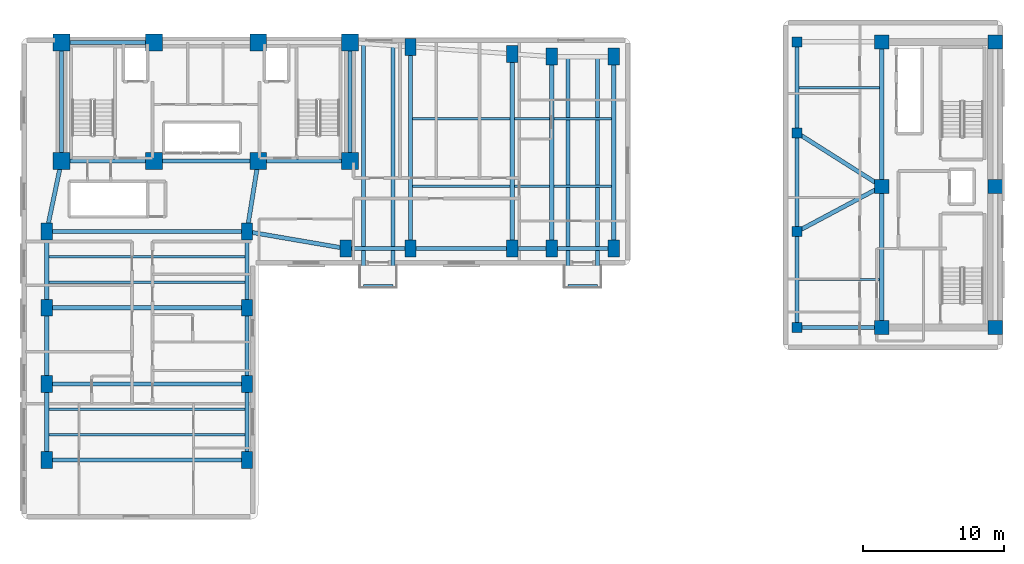
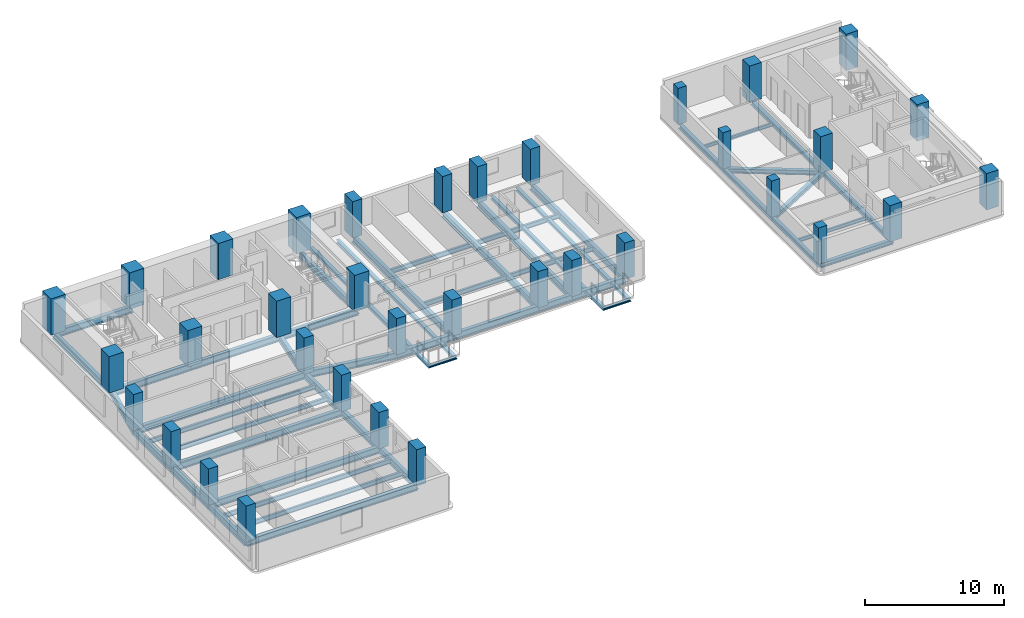
# One storey, part 1 of 10: 53 beams, 35 columns.
"""IFC4 building model written with IfcOpenShell, lengths in metres."""

from ifc_helpers import new_model, si_unit, direction, frame, origin, origin_2d, place, context, subcontext, project, spatial, rectangle, i_section, extrude, material, material_profile, profile_set, type_object, element, save


model = new_model("IFC4")

# Units and contexts
model_context = context("Model", 3, precision=1e-05, world=origin(), true_north=direction((0.0, 1.0)))
body_context = subcontext(model_context, "Body", "Model", "MODEL_VIEW")
ifc_project = project(units=[si_unit("LENGTHUNIT", "METRE"), si_unit("AREAUNIT", "SQUARE_METRE"), si_unit("VOLUMEUNIT", "CUBIC_METRE"), si_unit("PLANEANGLEUNIT", "RADIAN"), si_unit("MASSUNIT", "GRAM", prefix="KILO")], contexts=[model_context])

# Site, building, storey
site_placement = place(None, origin())
site = spatial("IfcSite", under=ifc_project, at=site_placement, CompositionType="ELEMENT")
building_placement = place(site_placement, origin())
building = spatial("IfcBuilding", under=site, at=building_placement, Name="Kuzgunbayir Cultural Tower", CompositionType="ELEMENT")
storey_placement = place(building_placement, frame((0.0, 0.0, 93.0)))
storey = spatial("IfcBuildingStorey", under=building, at=storey_placement, Name="L26", CompositionType="ELEMENT", Elevation=93.0)

# Columns
ifc_material_1 = material(Name="Concrete C60/75", Category="concrete")
ifc_material_profile_1 = material_profile(ifc_material_1, rectangle(XDim=1.199951171875, YDim=1.199951171875, at=origin_2d()), Name="RC 1200x1200")
ifc_profile_set_1 = profile_set([ifc_material_profile_1], Name="Concrete C60/75")
column_type_1 = type_object("IfcColumnType", Name="COL-CORE-1200", PredefinedType="COLUMN", material=ifc_profile_set_1)
for number, where, z_axis, x_axis, name in (
    (1, (6.449951171875, 33.800048828125, 0.0), (0.0, 0.0, 1.0), (1.0, 0.0, 0.0), "L26 T1 Core Boundary Column CC1-1"),
    (2, (13.0, 33.800048828125, 0.0), (0.0, 0.0, 1.0), (1.0, 0.0, 0.0), "L26 T1 Core Boundary Column CC1-2"),
    (3, (20.39990234375, 33.800048828125, 0.0), (0.0, 0.0, 1.0), (1.0, 0.0, 0.0), "L26 T1 Core Boundary Column CC1-3"),
    (4, (26.89990234375, 33.800048828125, 0.0), (0.0, 0.0, 1.0), (1.0, 0.0, 0.0), "L26 T1 Core Boundary Column CC1-4"),
    (5, (6.449951171875, 42.199951171875, 0.0), (0.0, 0.0, 1.0), (1.0, 0.0, 0.0), "L26 T1 Core Boundary Column CC1-5"),
    (6, (13.0, 42.199951171875, 0.0), (0.0, 0.0, 1.0), (1.0, 0.0, 0.0), "L26 T1 Core Boundary Column CC1-6"),
    (7, (20.39990234375, 42.199951171875, 0.0), (0.0, 0.0, 1.0), (1.0, 0.0, 0.0), "L26 T1 Core Boundary Column CC1-7"),
    (8, (26.89990234375, 42.199951171875, 0.0), (0.0, 0.0, 1.0), (1.0, 0.0, 0.0), "L26 T1 Core Boundary Column CC1-8"),
):
    element("IfcColumn", number, at=place(storey_placement, frame(where, z_axis=z_axis, x_axis=x_axis)), inside=storey, type_object=column_type_1, Name=name, PredefinedType="COLUMN", context=body_context, shape_type="SweptSolid", body=[
        extrude(rectangle(XDim=1.199951171875, YDim=1.199951171875, at=origin_2d()), origin(), (0.0, 0.0, 1.0), 3.199951171875),
    ])
ifc_material_profile_2 = material_profile(ifc_material_1, rectangle(XDim=0.800048828125, YDim=1.199951171875, at=origin_2d()), Name="RC 1200x800")
ifc_profile_set_2 = profile_set([ifc_material_profile_2], Name="Concrete C60/75")
column_type_2 = type_object("IfcColumnType", Name="COL-T1-1200x800", PredefinedType="COLUMN", material=ifc_profile_set_2)
for number, where, z_axis, x_axis, name in (
    (9, (5.39990234375, 12.60009765625, 0.0), (0.0, 0.0, 1.0), (1.0, 0.0, 0.0), "L26 Tower 1 Wing A Column T1A-W-1"),
    (10, (19.60009765625, 12.60009765625, 0.0), (0.0, 0.0, 1.0), (1.0, 0.0, 0.0), "L26 Tower 1 Wing A Column T1A-E-1"),
    (11, (5.39990234375, 18.0, 0.0), (0.0, 0.0, 1.0), (1.0, 0.0, 0.0), "L26 Tower 1 Wing A Column T1A-W-2"),
    (12, (19.60009765625, 18.0, 0.0), (0.0, 0.0, 1.0), (1.0, 0.0, 0.0), "L26 Tower 1 Wing A Column T1A-E-2"),
    (13, (5.39990234375, 23.39990234375, 0.0), (0.0, 0.0, 1.0), (1.0, 0.0, 0.0), "L26 Tower 1 Wing A Column T1A-W-3"),
    (14, (19.60009765625, 23.39990234375, 0.0), (0.0, 0.0, 1.0), (1.0, 0.0, 0.0), "L26 Tower 1 Wing A Column T1A-E-3"),
    (15, (5.39990234375, 28.800048828125, 0.0), (0.0, 0.0, 1.0), (1.0, 0.0, 0.0), "L26 Tower 1 Wing A Column T1A-W-4"),
    (16, (19.60009765625, 28.800048828125, 0.0), (0.0, 0.0, 1.0), (1.0, 0.0, 0.0), "L26 Tower 1 Wing A Column T1A-E-4"),
    (17, (26.60009765625, 27.60009765625, 0.0), (0.0, 0.0, 1.0), (1.0, 0.0, 0.0), "L26 Tower 1 Wing B Column T1B-1-1"),
    (18, (31.199951171875, 27.60009765625, 0.0), (0.0, 0.0, 1.0), (1.0, 0.0, 0.0), "L26 Tower 1 Wing B Column T1B-2-1"),
    (19, (31.199951171875, 41.89990234375, 0.0), (0.0, 0.0, 1.0), (1.0, 0.0, 0.0), "L26 Tower 1 Wing B Column T1B-2-2"),
    (20, (38.39990234375, 27.60009765625, 0.0), (0.0, 0.0, 1.0), (1.0, 0.0, 0.0), "L26 Tower 1 Wing B Column T1B-3-1"),
    (21, (38.39990234375, 41.39990234375, 0.0), (0.0, 0.0, 1.0), (1.0, 0.0, 0.0), "L26 Tower 1 Wing B Column T1B-3-2"),
    (22, (41.199951171875, 27.60009765625, 0.0), (0.0, 0.0, 1.0), (1.0, 0.0, 0.0), "L26 Tower 1 Wing B Column T1B-4-1"),
    (23, (41.199951171875, 41.199951171875, 0.0), (0.0, 0.0, 1.0), (1.0, 0.0, 0.0), "L26 Tower 1 Wing B Column T1B-4-2"),
    (24, (45.60009765625, 27.60009765625, 0.0), (0.0, 0.0, 1.0), (1.0, 0.0, 0.0), "L26 Tower 1 Wing B Column T1B-5-1"),
    (25, (45.60009765625, 41.199951171875, 0.0), (0.0, 0.0, 1.0), (1.0, 0.0, 0.0), "L26 Tower 1 Wing B Column T1B-5-2"),
):
    element("IfcColumn", number, at=place(storey_placement, frame(where, z_axis=z_axis, x_axis=x_axis)), inside=storey, type_object=column_type_2, Name=name, PredefinedType="COLUMN", context=body_context, shape_type="SweptSolid", body=[
        extrude(rectangle(XDim=0.800048828125, YDim=1.199951171875, at=origin_2d()), origin(), (0.0, 0.0, 1.0), 3.199951171875),
    ])
ifc_material_profile_3 = material_profile(ifc_material_1, rectangle(XDim=1.0, YDim=1.0, at=origin_2d()), Name="RC 1000x1000")
ifc_profile_set_3 = profile_set([ifc_material_profile_3], Name="Concrete C60/75")
column_type_3 = type_object("IfcColumnType", Name="COL-T2-1000", PredefinedType="COLUMN", material=ifc_profile_set_3)
for number, where, z_axis, x_axis, name in (
    (26, (64.60009765625, 22.0, 0.0), (0.0, 0.0, 1.0), (1.0, 0.0, 0.0), "L26 T2 Core Boundary Column CC2-1"),
    (27, (72.64990234375, 22.0, 0.0), (0.0, 0.0, 1.0), (1.0, 0.0, 0.0), "L26 T2 Core Boundary Column CC2-2"),
    (28, (64.60009765625, 32.0, 0.0), (0.0, 0.0, 1.0), (1.0, 0.0, 0.0), "L26 T2 Core Boundary Column CC2-3"),
    (29, (72.64990234375, 32.0, 0.0), (0.0, 0.0, 1.0), (1.0, 0.0, 0.0), "L26 T2 Core Boundary Column CC2-4"),
    (30, (64.60009765625, 42.25, 0.0), (0.0, 0.0, 1.0), (1.0, 0.0, 0.0), "L26 T2 Core Boundary Column CC2-5"),
    (31, (72.64990234375, 42.25, 0.0), (0.0, 0.0, 1.0), (1.0, 0.0, 0.0), "L26 T2 Core Boundary Column CC2-6"),
):
    element("IfcColumn", number, at=place(storey_placement, frame(where, z_axis=z_axis, x_axis=x_axis)), inside=storey, type_object=column_type_3, Name=name, PredefinedType="COLUMN", context=body_context, shape_type="SweptSolid", body=[
        extrude(rectangle(XDim=1.0, YDim=1.0, at=origin_2d()), origin(), (0.0, 0.0, 1.0), 3.199951171875),
    ])
ifc_material_profile_4 = material_profile(ifc_material_1, rectangle(XDim=0.699951171875, YDim=0.699951171875, at=origin_2d()), Name="RC 700x700")
ifc_profile_set_4 = profile_set([ifc_material_profile_4], Name="Concrete C60/75")
column_type_4 = type_object("IfcColumnType", Name="COL-T2-700", PredefinedType="COLUMN", material=ifc_profile_set_4)
for number, where, z_axis, x_axis, name in (
    (32, (58.60009765625, 22.0, 0.0), (0.0, 0.0, 1.0), (1.0, 0.0, 0.0), "L26 Companion Wing A Column T2A-W-1"),
    (33, (58.60009765625, 28.800048828125, 0.0), (0.0, 0.0, 1.0), (1.0, 0.0, 0.0), "L26 Companion Wing A Column T2A-W-2"),
    (34, (58.60009765625, 35.800048828125, 0.0), (0.0, 0.0, 1.0), (1.0, 0.0, 0.0), "L26 Companion Wing A Column T2A-W-3"),
    (35, (58.60009765625, 42.25, 0.0), (0.0, 0.0, 1.0), (1.0, 0.0, 0.0), "L26 Companion Wing A Column T2A-W-4"),
):
    element("IfcColumn", number, at=place(storey_placement, frame(where, z_axis=z_axis, x_axis=x_axis)), inside=storey, type_object=column_type_4, Name=name, PredefinedType="COLUMN", context=body_context, shape_type="SweptSolid", body=[
        extrude(rectangle(XDim=0.699951171875, YDim=0.699951171875, at=origin_2d()), origin(), (0.0, 0.0, 1.0), 3.199951171875),
    ])

# Beams
ifc_material_2 = material(Name="Steel S355J2", Category="steel")
ifc_material_profile_5 = material_profile(ifc_material_2, i_section(OverallWidth=0.280029296875, OverallDepth=0.280029296875, WebThickness=0.010498046875, FlangeThickness=0.01806640625, FilletRadius=0.02392578125, at=origin_2d()), Name="HEB 280")
ifc_profile_set_5 = profile_set([ifc_material_profile_5], Name="Steel S355J2")
beam_type_1 = type_object("IfcBeamType", Name="BM-BAL-HEB280", PredefinedType="BEAM", material=ifc_profile_set_5)
beam_1_placement = place(storey_placement, frame((27.85009765625, 24.9599609375, -0.340087890625), z_axis=(0.0, 1.0, 0.0), x_axis=(-1.0, 0.0, 0.0)))
element("IfcBeam", 36, at=beam_1_placement, inside=storey, type_object=beam_type_1, Name="L26 Balcony Outrigger Beam BAL-L26-WB1.1", PredefinedType="BEAM", context=body_context, shape_type="SweptSolid", body=[
    extrude(i_section(OverallWidth=0.280029296875, OverallDepth=0.280029296875, WebThickness=0.010498046875, FlangeThickness=0.01806640625, FilletRadius=0.02392578125, at=origin_2d()), origin(), (0.0, 0.0, 1.0), 17.169921875),
])
beam_2_placement = place(storey_placement, frame((29.949951171875, 24.9599609375, -0.340087890625), z_axis=(0.0, 1.0, 0.0), x_axis=(-1.0, 0.0, 0.0)))
element("IfcBeam", 37, at=beam_2_placement, inside=storey, type_object=beam_type_1, Name="L26 Balcony Outrigger Beam BAL-L26-WB1.2", PredefinedType="BEAM", context=body_context, shape_type="SweptSolid", body=[
    extrude(i_section(OverallWidth=0.280029296875, OverallDepth=0.280029296875, WebThickness=0.010498046875, FlangeThickness=0.01806640625, FilletRadius=0.02392578125, at=origin_2d()), origin(), (0.0, 0.0, 1.0), 17.030029296875),
])
for number, where, z_axis, x_axis, name in (
    (38, (42.35009765625, 24.9599609375, -0.340087890625), (0.0, 1.0, 0.0), (-1.0, 0.0, 0.0), "L26 Balcony Outrigger Beam BAL-L26-WB3.1"),
    (39, (44.449951171875, 24.9599609375, -0.340087890625), (0.0, 1.0, 0.0), (-1.0, 0.0, 0.0), "L26 Balcony Outrigger Beam BAL-L26-WB3.2"),
):
    element("IfcBeam", number, at=place(storey_placement, frame(where, z_axis=z_axis, x_axis=x_axis)), inside=storey, type_object=beam_type_1, Name=name, PredefinedType="BEAM", context=body_context, shape_type="SweptSolid", body=[
        extrude(i_section(OverallWidth=0.280029296875, OverallDepth=0.280029296875, WebThickness=0.010498046875, FlangeThickness=0.01806640625, FilletRadius=0.02392578125, at=origin_2d()), origin(), (0.0, 0.0, 1.0), 16.239990234375),
    ])
ifc_material_profile_6 = material_profile(ifc_material_2, i_section(OverallWidth=0.199951171875, OverallDepth=0.199951171875, WebThickness=0.009033203125, FlangeThickness=0.014892578125, FilletRadius=0.01806640625, at=origin_2d()), Name="HEB 200")
ifc_profile_set_6 = profile_set([ifc_material_profile_6], Name="Steel S355J2")
beam_type_2 = type_object("IfcBeamType", Name="BM-CAN-HEB200", PredefinedType="BEAM", material=ifc_profile_set_6)
for number, where, z_axis, x_axis, name in (
    (40, (27.85009765625, 24.9599609375, -0.300048828125), (1.0, 0.0, 0.0), (0.0, 1.0, 0.0), "L26 Balcony Edge Header BAL-L26-WB1"),
    (41, (42.35009765625, 24.9599609375, -0.300048828125), (1.0, 0.0, 0.0), (0.0, 1.0, 0.0), "L26 Balcony Edge Header BAL-L26-WB3"),
):
    element("IfcBeam", number, at=place(storey_placement, frame(where, z_axis=z_axis, x_axis=x_axis)), inside=storey, type_object=beam_type_2, Name=name, PredefinedType="BEAM", context=body_context, shape_type="SweptSolid", body=[
        extrude(i_section(OverallWidth=0.199951171875, OverallDepth=0.199951171875, WebThickness=0.009033203125, FlangeThickness=0.014892578125, FilletRadius=0.01806640625, at=origin_2d()), origin(), (0.0, 0.0, 1.0), 2.099853515625),
    ])
ifc_material_profile_7 = material_profile(ifc_material_2, i_section(OverallWidth=0.300048828125, OverallDepth=0.39990234375, WebThickness=0.013427734375, FlangeThickness=0.02392578125, FilletRadius=0.027099609375, at=origin_2d()), Name="HEB 400")
ifc_profile_set_7 = profile_set([ifc_material_profile_7], Name="Steel S355J2")
beam_type_3 = type_object("IfcBeamType", Name="BM-EXT-HEB400", PredefinedType="BEAM", material=ifc_profile_set_7)
beam_3_placement = place(storey_placement, frame((58.60009765625, 22.0, -0.3798828125), z_axis=(0.0, 1.0, 0.0), x_axis=(-1.0, 0.0, 0.0)))
element("IfcBeam", 42, at=beam_3_placement, inside=storey, type_object=beam_type_3, Name="L26 Companion West Girder", PredefinedType="BEAM", context=body_context, shape_type="SweptSolid", body=[
    extrude(i_section(OverallWidth=0.300048828125, OverallDepth=0.39990234375, WebThickness=0.013427734375, FlangeThickness=0.02392578125, FilletRadius=0.027099609375, at=origin_2d()), origin(), (0.0, 0.0, 1.0), 6.800048828125),
])
beam_4_placement = place(storey_placement, frame((58.60009765625, 28.800048828125, -0.3798828125), z_axis=(0.0, 1.0, 0.0), x_axis=(-1.0, 0.0, 0.0)))
element("IfcBeam", 43, at=beam_4_placement, inside=storey, type_object=beam_type_3, Name="L26 Companion West Girder", PredefinedType="BEAM", context=body_context, shape_type="SweptSolid", body=[
    extrude(i_section(OverallWidth=0.300048828125, OverallDepth=0.39990234375, WebThickness=0.013427734375, FlangeThickness=0.02392578125, FilletRadius=0.027099609375, at=origin_2d()), origin(), (0.0, 0.0, 1.0), 7.0),
])
beam_5_placement = place(storey_placement, frame((58.60009765625, 35.800048828125, -0.3798828125), z_axis=(0.0, 1.0, 0.0), x_axis=(-1.0, 0.0, 0.0)))
element("IfcBeam", 44, at=beam_5_placement, inside=storey, type_object=beam_type_3, Name="L26 Companion West Girder", PredefinedType="BEAM", context=body_context, shape_type="SweptSolid", body=[
    extrude(i_section(OverallWidth=0.300048828125, OverallDepth=0.39990234375, WebThickness=0.013427734375, FlangeThickness=0.02392578125, FilletRadius=0.027099609375, at=origin_2d()), origin(), (0.0, 0.0, 1.0), 6.449951171875),
])
ifc_material_profile_8 = material_profile(ifc_material_2, i_section(OverallWidth=0.300048828125, OverallDepth=0.60009765625, WebThickness=0.015380859375, FlangeThickness=0.030029296875, FilletRadius=0.027099609375, at=origin_2d()), Name="HEB 600")
ifc_profile_set_8 = profile_set([ifc_material_profile_8], Name="Steel S355J2")
beam_type_4 = type_object("IfcBeamType", Name="BM-EXT-HEB600", PredefinedType="BEAM", material=ifc_profile_set_8)
for number, where, z_axis, x_axis, name in (
    (45, (5.39990234375, 12.60009765625, -0.47998046875), (0.0, 1.0, 0.0), (-1.0, 0.0, 0.0), "L26 Wing A West Girder 1"),
    (46, (19.60009765625, 12.60009765625, -0.47998046875), (0.0, 1.0, 0.0), (-1.0, 0.0, 0.0), "L26 Wing A East Girder 1"),
    (47, (5.39990234375, 18.0, -0.47998046875), (0.0, 1.0, 0.0), (-1.0, 0.0, 0.0), "L26 Wing A West Girder 2"),
    (48, (19.60009765625, 18.0, -0.47998046875), (0.0, 1.0, 0.0), (-1.0, 0.0, 0.0), "L26 Wing A East Girder 2"),
):
    element("IfcBeam", number, at=place(storey_placement, frame(where, z_axis=z_axis, x_axis=x_axis)), inside=storey, type_object=beam_type_4, Name=name, PredefinedType="BEAM", context=body_context, shape_type="SweptSolid", body=[
        extrude(i_section(OverallWidth=0.300048828125, OverallDepth=0.60009765625, WebThickness=0.015380859375, FlangeThickness=0.030029296875, FilletRadius=0.027099609375, at=origin_2d()), origin(), (0.0, 0.0, 1.0), 5.39990234375),
    ])
for number, where, z_axis, x_axis, name in (
    (49, (5.39990234375, 23.39990234375, -0.47998046875), (0.0, 1.0, 0.0), (-1.0, 0.0, 0.0), "L26 Wing A West Girder 3"),
    (50, (19.60009765625, 23.39990234375, -0.47998046875), (0.0, 1.0, 0.0), (-1.0, 0.0, 0.0), "L26 Wing A East Girder 3"),
):
    element("IfcBeam", number, at=place(storey_placement, frame(where, z_axis=z_axis, x_axis=x_axis)), inside=storey, type_object=beam_type_4, Name=name, PredefinedType="BEAM", context=body_context, shape_type="SweptSolid", body=[
        extrude(i_section(OverallWidth=0.300048828125, OverallDepth=0.60009765625, WebThickness=0.015380859375, FlangeThickness=0.030029296875, FilletRadius=0.027099609375, at=origin_2d()), origin(), (0.0, 0.0, 1.0), 5.400146484375),
    ])
beam_6_placement = place(storey_placement, frame((26.60009765625, 27.60009765625, -0.47998046875), z_axis=(1.0, 0.0, 0.0), x_axis=(0.0, 1.0, 0.0)))
element("IfcBeam", 51, at=beam_6_placement, inside=storey, type_object=beam_type_4, Name="L26 Wing B South Girder 1", PredefinedType="BEAM", context=body_context, shape_type="SweptSolid", body=[
    extrude(i_section(OverallWidth=0.300048828125, OverallDepth=0.60009765625, WebThickness=0.015380859375, FlangeThickness=0.030029296875, FilletRadius=0.027099609375, at=origin_2d()), origin(), (0.0, 0.0, 1.0), 4.599853515625),
])
beam_7_placement = place(storey_placement, frame((31.199951171875, 27.60009765625, -0.47998046875), z_axis=(1.0, 0.0, 0.0), x_axis=(0.0, 1.0, 0.0)))
element("IfcBeam", 52, at=beam_7_placement, inside=storey, type_object=beam_type_4, Name="L26 Wing B South Girder 2", PredefinedType="BEAM", context=body_context, shape_type="SweptSolid", body=[
    extrude(i_section(OverallWidth=0.300048828125, OverallDepth=0.60009765625, WebThickness=0.015380859375, FlangeThickness=0.030029296875, FilletRadius=0.027099609375, at=origin_2d()), origin(), (0.0, 0.0, 1.0), 7.199951171875),
])
beam_8_placement = place(storey_placement, frame((38.39990234375, 27.60009765625, -0.47998046875), z_axis=(1.0, 0.0, 0.0), x_axis=(0.0, 1.0, 0.0)))
element("IfcBeam", 53, at=beam_8_placement, inside=storey, type_object=beam_type_4, Name="L26 Wing B South Girder 3", PredefinedType="BEAM", context=body_context, shape_type="SweptSolid", body=[
    extrude(i_section(OverallWidth=0.300048828125, OverallDepth=0.60009765625, WebThickness=0.015380859375, FlangeThickness=0.030029296875, FilletRadius=0.027099609375, at=origin_2d()), origin(), (0.0, 0.0, 1.0), 2.800048828125),
])
beam_9_placement = place(storey_placement, frame((41.199951171875, 27.60009765625, -0.47998046875), z_axis=(1.0, 0.0, 0.0), x_axis=(0.0, 1.0, 0.0)))
element("IfcBeam", 54, at=beam_9_placement, inside=storey, type_object=beam_type_4, Name="L26 Wing B South Girder 4", PredefinedType="BEAM", context=body_context, shape_type="SweptSolid", body=[
    extrude(i_section(OverallWidth=0.300048828125, OverallDepth=0.60009765625, WebThickness=0.015380859375, FlangeThickness=0.030029296875, FilletRadius=0.027099609375, at=origin_2d()), origin(), (0.0, 0.0, 1.0), 4.400146484375),
])
ifc_material_profile_9 = material_profile(ifc_material_2, i_section(OverallWidth=0.300048828125, OverallDepth=0.39990234375, WebThickness=0.013427734375, FlangeThickness=0.02392578125, FilletRadius=0.027099609375, at=origin_2d()), Name="HEB 400")
ifc_profile_set_9 = profile_set([ifc_material_profile_9], Name="Steel S355J2")
beam_type_5 = type_object("IfcBeamType", Name="BM-GIR-HEB400", PredefinedType="BEAM", material=ifc_profile_set_9)
beam_10_placement = place(storey_placement, frame((58.60009765625, 22.0, -0.3798828125), z_axis=(1.0, 0.0, 0.0), x_axis=(0.0, 1.0, 0.0)))
element("IfcBeam", 55, at=beam_10_placement, inside=storey, type_object=beam_type_5, Name="L26 Companion Transverse Girder 1", PredefinedType="BEAM", context=body_context, shape_type="SweptSolid", body=[
    extrude(i_section(OverallWidth=0.300048828125, OverallDepth=0.39990234375, WebThickness=0.013427734375, FlangeThickness=0.02392578125, FilletRadius=0.027099609375, at=origin_2d()), origin(), (0.0, 0.0, 1.0), 6.0),
])
beam_11_placement = place(storey_placement, frame((58.60009765625, 28.800048828125, -0.3798828125), z_axis=(0.882355922736, 0.470582644828, 0.0), x_axis=(-0.470582644828, 0.882355922736, 0.0)))
element("IfcBeam", 56, at=beam_11_placement, inside=storey, type_object=beam_type_5, Name="L26 Companion Transverse Girder 2", PredefinedType="BEAM", context=body_context, shape_type="SweptSolid", body=[
    extrude(i_section(OverallWidth=0.300048828125, OverallDepth=0.39990234375, WebThickness=0.013427734375, FlangeThickness=0.02392578125, FilletRadius=0.027099609375, at=origin_2d()), origin(), (0.0, 0.0, 1.0), 6.800048828125),
])
beam_12_placement = place(storey_placement, frame((58.60009765625, 35.800048828125, -0.3798828125), z_axis=(0.844815967829, -0.535056988088, 0.0), x_axis=(0.535056988088, 0.844815967829, 0.0)))
element("IfcBeam", 57, at=beam_12_placement, inside=storey, type_object=beam_type_5, Name="L26 Companion Transverse Girder 3", PredefinedType="BEAM", context=body_context, shape_type="SweptSolid", body=[
    extrude(i_section(OverallWidth=0.300048828125, OverallDepth=0.39990234375, WebThickness=0.013427734375, FlangeThickness=0.02392578125, FilletRadius=0.027099609375, at=origin_2d()), origin(), (0.0, 0.0, 1.0), 7.10205078125),
])
beam_13_placement = place(storey_placement, frame((64.60009765625, 22.0, -0.3798828125), z_axis=(0.0, 1.0, 0.0), x_axis=(-1.0, 0.0, 0.0)))
element("IfcBeam", 58, at=beam_13_placement, inside=storey, type_object=beam_type_5, Name="L26 Companion Core West Girder 1", PredefinedType="BEAM", context=body_context, shape_type="SweptSolid", body=[
    extrude(i_section(OverallWidth=0.300048828125, OverallDepth=0.39990234375, WebThickness=0.013427734375, FlangeThickness=0.02392578125, FilletRadius=0.027099609375, at=origin_2d()), origin(), (0.0, 0.0, 1.0), 10.0),
])
beam_14_placement = place(storey_placement, frame((64.60009765625, 32.0, -0.3798828125), z_axis=(0.0, 1.0, 0.0), x_axis=(-1.0, 0.0, 0.0)))
element("IfcBeam", 59, at=beam_14_placement, inside=storey, type_object=beam_type_5, Name="L26 Companion Core West Girder 2", PredefinedType="BEAM", context=body_context, shape_type="SweptSolid", body=[
    extrude(i_section(OverallWidth=0.300048828125, OverallDepth=0.39990234375, WebThickness=0.013427734375, FlangeThickness=0.02392578125, FilletRadius=0.027099609375, at=origin_2d()), origin(), (0.0, 0.0, 1.0), 10.25),
])
ifc_material_profile_10 = material_profile(ifc_material_2, i_section(OverallWidth=0.300048828125, OverallDepth=0.60009765625, WebThickness=0.015380859375, FlangeThickness=0.030029296875, FilletRadius=0.027099609375, at=origin_2d()), Name="HEB 600")
ifc_profile_set_10 = profile_set([ifc_material_profile_10], Name="Steel S355J2")
beam_type_6 = type_object("IfcBeamType", Name="BM-GIR-HEB600", PredefinedType="BEAM", material=ifc_profile_set_10)
beam_15_placement = place(storey_placement, frame((6.449951171875, 33.800048828125, -0.47998046875), z_axis=(1.0, 0.0, 0.0), x_axis=(0.0, 1.0, 0.0)))
element("IfcBeam", 60, at=beam_15_placement, inside=storey, type_object=beam_type_6, Name="L26 Core South Girder 1", PredefinedType="BEAM", context=body_context, shape_type="SweptSolid", body=[
    extrude(i_section(OverallWidth=0.300048828125, OverallDepth=0.60009765625, WebThickness=0.015380859375, FlangeThickness=0.030029296875, FilletRadius=0.027099609375, at=origin_2d()), origin(), (0.0, 0.0, 1.0), 6.550048828125),
])
beam_16_placement = place(storey_placement, frame((13.0, 33.800048828125, -0.47998046875), z_axis=(1.0, 0.0, 0.0), x_axis=(0.0, 1.0, 0.0)))
element("IfcBeam", 61, at=beam_16_placement, inside=storey, type_object=beam_type_6, Name="L26 Core South Girder 2", PredefinedType="BEAM", context=body_context, shape_type="SweptSolid", body=[
    extrude(i_section(OverallWidth=0.300048828125, OverallDepth=0.60009765625, WebThickness=0.015380859375, FlangeThickness=0.030029296875, FilletRadius=0.027099609375, at=origin_2d()), origin(), (0.0, 0.0, 1.0), 7.39990234375),
])
beam_17_placement = place(storey_placement, frame((20.39990234375, 33.800048828125, -0.47998046875), z_axis=(1.0, 0.0, 0.0), x_axis=(0.0, 1.0, 0.0)))
element("IfcBeam", 62, at=beam_17_placement, inside=storey, type_object=beam_type_6, Name="L26 Core South Girder 3", PredefinedType="BEAM", context=body_context, shape_type="SweptSolid", body=[
    extrude(i_section(OverallWidth=0.300048828125, OverallDepth=0.60009765625, WebThickness=0.015380859375, FlangeThickness=0.030029296875, FilletRadius=0.027099609375, at=origin_2d()), origin(), (0.0, 0.0, 1.0), 6.5),
])
beam_18_placement = place(storey_placement, frame((6.449951171875, 42.199951171875, -0.47998046875), z_axis=(1.0, 0.0, 0.0), x_axis=(0.0, 1.0, 0.0)))
element("IfcBeam", 63, at=beam_18_placement, inside=storey, type_object=beam_type_6, Name="L26 Core North Girder 1", PredefinedType="BEAM", context=body_context, shape_type="SweptSolid", body=[
    extrude(i_section(OverallWidth=0.300048828125, OverallDepth=0.60009765625, WebThickness=0.015380859375, FlangeThickness=0.030029296875, FilletRadius=0.027099609375, at=origin_2d()), origin(), (0.0, 0.0, 1.0), 6.550048828125),
])
for number, where, z_axis, x_axis, name in (
    (64, (6.449951171875, 33.800048828125, -0.47998046875), (0.0, 1.0, 0.0), (-1.0, 0.0, 0.0), "L26 Core West Edge Girder"),
    (65, (26.89990234375, 33.800048828125, -0.47998046875), (0.0, 1.0, 0.0), (-1.0, 0.0, 0.0), "L26 Core East Edge Girder"),
):
    element("IfcBeam", number, at=place(storey_placement, frame(where, z_axis=z_axis, x_axis=x_axis)), inside=storey, type_object=beam_type_6, Name=name, PredefinedType="BEAM", context=body_context, shape_type="SweptSolid", body=[
        extrude(i_section(OverallWidth=0.300048828125, OverallDepth=0.60009765625, WebThickness=0.015380859375, FlangeThickness=0.030029296875, FilletRadius=0.027099609375, at=origin_2d()), origin(), (0.0, 0.0, 1.0), 8.39990234375),
    ])
for number, where, z_axis, x_axis, name in (
    (66, (5.39990234375, 12.60009765625, -0.47998046875), (1.0, 0.0, 0.0), (0.0, 1.0, 0.0), "L26 Wing A Transverse Girder 1"),
    (67, (5.39990234375, 18.0, -0.47998046875), (1.0, 0.0, 0.0), (0.0, 1.0, 0.0), "L26 Wing A Transverse Girder 2"),
    (68, (5.39990234375, 23.39990234375, -0.47998046875), (1.0, 0.0, 0.0), (0.0, 1.0, 0.0), "L26 Wing A Transverse Girder 3"),
    (69, (5.39990234375, 28.800048828125, -0.47998046875), (1.0, 0.0, 0.0), (0.0, 1.0, 0.0), "L26 Wing A Transverse Girder 4"),
):
    element("IfcBeam", number, at=place(storey_placement, frame(where, z_axis=z_axis, x_axis=x_axis)), inside=storey, type_object=beam_type_6, Name=name, PredefinedType="BEAM", context=body_context, shape_type="SweptSolid", body=[
        extrude(i_section(OverallWidth=0.300048828125, OverallDepth=0.60009765625, WebThickness=0.015380859375, FlangeThickness=0.030029296875, FilletRadius=0.027099609375, at=origin_2d()), origin(), (0.0, 0.0, 1.0), 14.2001953125),
    ])
beam_19_placement = place(storey_placement, frame((5.39990234375, 28.800048828125, -0.47998046875), z_axis=(0.205526387753, 0.978651574329, 0.0), x_axis=(-0.978651574329, 0.205526387753, 0.0)))
element("IfcBeam", 70, at=beam_19_placement, inside=storey, type_object=beam_type_6, Name="L26 Wing A West Core Floor Girder", PredefinedType="BEAM", context=body_context, shape_type="SweptSolid", body=[
    extrude(i_section(OverallWidth=0.300048828125, OverallDepth=0.60009765625, WebThickness=0.015380859375, FlangeThickness=0.030029296875, FilletRadius=0.027099609375, at=origin_2d()), origin(), (0.0, 0.0, 1.0), 5.109130859375),
])
beam_20_placement = place(storey_placement, frame((19.60009765625, 28.800048828125, -0.47998046875), z_axis=(0.157952891656, 0.987446648694, 0.0), x_axis=(-0.987446648694, 0.157952891656, 0.0)))
element("IfcBeam", 71, at=beam_20_placement, inside=storey, type_object=beam_type_6, Name="L26 Wing A East Core Floor Girder", PredefinedType="BEAM", context=body_context, shape_type="SweptSolid", body=[
    extrude(i_section(OverallWidth=0.300048828125, OverallDepth=0.60009765625, WebThickness=0.015380859375, FlangeThickness=0.030029296875, FilletRadius=0.027099609375, at=origin_2d()), origin(), (0.0, 0.0, 1.0), 5.0634765625),
])
beam_21_placement = place(storey_placement, frame((31.199951171875, 27.60009765625, -0.47998046875), z_axis=(0.0, 1.0, 0.0), x_axis=(-1.0, 0.0, 0.0)))
element("IfcBeam", 72, at=beam_21_placement, inside=storey, type_object=beam_type_6, Name="L26 Wing B Cross Girder 31", PredefinedType="BEAM", context=body_context, shape_type="SweptSolid", body=[
    extrude(i_section(OverallWidth=0.300048828125, OverallDepth=0.60009765625, WebThickness=0.015380859375, FlangeThickness=0.030029296875, FilletRadius=0.027099609375, at=origin_2d()), origin(), (0.0, 0.0, 1.0), 14.2998046875),
])
beam_22_placement = place(storey_placement, frame((38.39990234375, 27.60009765625, -0.47998046875), z_axis=(0.0, 1.0, 0.0), x_axis=(-1.0, 0.0, 0.0)))
element("IfcBeam", 73, at=beam_22_placement, inside=storey, type_object=beam_type_6, Name="L26 Wing B Cross Girder 38", PredefinedType="BEAM", context=body_context, shape_type="SweptSolid", body=[
    extrude(i_section(OverallWidth=0.300048828125, OverallDepth=0.60009765625, WebThickness=0.015380859375, FlangeThickness=0.030029296875, FilletRadius=0.027099609375, at=origin_2d()), origin(), (0.0, 0.0, 1.0), 13.7998046875),
])
for number, where, z_axis, x_axis, name in (
    (74, (41.199951171875, 27.60009765625, -0.47998046875), (0.0, 1.0, 0.0), (-1.0, 0.0, 0.0), "L26 Wing B Cross Girder 41"),
    (75, (45.60009765625, 27.60009765625, -0.47998046875), (0.0, 1.0, 0.0), (-1.0, 0.0, 0.0), "L26 Wing B Cross Girder 45"),
):
    element("IfcBeam", number, at=place(storey_placement, frame(where, z_axis=z_axis, x_axis=x_axis)), inside=storey, type_object=beam_type_6, Name=name, PredefinedType="BEAM", context=body_context, shape_type="SweptSolid", body=[
        extrude(i_section(OverallWidth=0.300048828125, OverallDepth=0.60009765625, WebThickness=0.015380859375, FlangeThickness=0.030029296875, FilletRadius=0.027099609375, at=origin_2d()), origin(), (0.0, 0.0, 1.0), 13.599853515625),
    ])
beam_23_placement = place(storey_placement, frame((19.60009765625, 28.800048828125, -0.47998046875), z_axis=(0.985623399742, -0.168957136221, 0.0), x_axis=(0.168957136221, 0.985623399742, 0.0)))
element("IfcBeam", 76, at=beam_23_placement, inside=storey, type_object=beam_type_6, Name="L26 Wing B Waist Tie Girder", PredefinedType="BEAM", context=body_context, shape_type="SweptSolid", body=[
    extrude(i_section(OverallWidth=0.300048828125, OverallDepth=0.60009765625, WebThickness=0.015380859375, FlangeThickness=0.030029296875, FilletRadius=0.027099609375, at=origin_2d()), origin(), (0.0, 0.0, 1.0), 7.10205078125),
])
ifc_material_profile_11 = material_profile(ifc_material_2, i_section(OverallWidth=0.14990234375, OverallDepth=0.300048828125, WebThickness=0.007080078125, FlangeThickness=0.0107421875, FilletRadius=0.014892578125, at=origin_2d()), Name="IPE 300")
ifc_profile_set_11 = profile_set([ifc_material_profile_11], Name="Steel S355J2")
beam_type_7 = type_object("IfcBeamType", Name="BM-JST-IPE300", PredefinedType="JOIST", material=ifc_profile_set_11)
for number, where, z_axis, x_axis, name in (
    (77, (58.75, 25.39990234375, -0.330078125), (1.0, 0.0, 0.0), (0.0, 1.0, 0.0), "L26 Companion Joist"),
    (78, (58.75, 39.0, -0.330078125), (1.0, 0.0, 0.0), (0.0, 1.0, 0.0), "L26 Companion Joist"),
):
    element("IfcBeam", number, at=place(storey_placement, frame(where, z_axis=z_axis, x_axis=x_axis)), inside=storey, type_object=beam_type_7, Name=name, PredefinedType="JOIST", context=body_context, shape_type="SweptSolid", body=[
        extrude(i_section(OverallWidth=0.14990234375, OverallDepth=0.300048828125, WebThickness=0.007080078125, FlangeThickness=0.0107421875, FilletRadius=0.014892578125, at=origin_2d()), origin(), (0.0, 0.0, 1.0), 5.699951171875),
    ])
ifc_material_profile_12 = material_profile(ifc_material_2, i_section(OverallWidth=0.179931640625, OverallDepth=0.39990234375, WebThickness=0.008544921875, FlangeThickness=0.013427734375, FilletRadius=0.02099609375, at=origin_2d()), Name="IPE 400")
ifc_profile_set_12 = profile_set([ifc_material_profile_12], Name="Steel S355J2")
beam_type_8 = type_object("IfcBeamType", Name="BM-JST-IPE400", PredefinedType="JOIST", material=ifc_profile_set_12)
for number, where, z_axis, x_axis, name in (
    (79, (5.550048828125, 14.39990234375, -0.3798828125), (1.0, 0.0, 0.0), (0.0, 1.0, 0.0), "L26 Wing A Secondary Joist 1"),
    (80, (5.550048828125, 16.199951171875, -0.3798828125), (1.0, 0.0, 0.0), (0.0, 1.0, 0.0), "L26 Wing A Secondary Joist 2"),
    (81, (5.550048828125, 25.199951171875, -0.3798828125), (1.0, 0.0, 0.0), (0.0, 1.0, 0.0), "L26 Wing A Secondary Joist 5"),
    (82, (5.550048828125, 27.0, -0.3798828125), (1.0, 0.0, 0.0), (0.0, 1.0, 0.0), "L26 Wing A Secondary Joist 6"),
):
    element("IfcBeam", number, at=place(storey_placement, frame(where, z_axis=z_axis, x_axis=x_axis)), inside=storey, type_object=beam_type_8, Name=name, PredefinedType="JOIST", context=body_context, shape_type="SweptSolid", body=[
        extrude(i_section(OverallWidth=0.179931640625, OverallDepth=0.39990234375, WebThickness=0.008544921875, FlangeThickness=0.013427734375, FilletRadius=0.02099609375, at=origin_2d()), origin(), (0.0, 0.0, 1.0), 13.89990234375),
    ])
for number, where, z_axis, x_axis, name in (
    (83, (31.35009765625, 32.0, -0.3798828125), (1.0, 0.0, 0.0), (0.0, 1.0, 0.0), "L26 Wing B Secondary Joist 1.1"),
    (84, (31.35009765625, 36.800048828125, -0.3798828125), (1.0, 0.0, 0.0), (0.0, 1.0, 0.0), "L26 Wing B Secondary Joist 1.2"),
):
    element("IfcBeam", number, at=place(storey_placement, frame(where, z_axis=z_axis, x_axis=x_axis)), inside=storey, type_object=beam_type_8, Name=name, PredefinedType="JOIST", context=body_context, shape_type="SweptSolid", body=[
        extrude(i_section(OverallWidth=0.179931640625, OverallDepth=0.39990234375, WebThickness=0.008544921875, FlangeThickness=0.013427734375, FilletRadius=0.02099609375, at=origin_2d()), origin(), (0.0, 0.0, 1.0), 6.89990234375),
    ])
for number, where, z_axis, x_axis, name in (
    (85, (38.550048828125, 32.0, -0.3798828125), (1.0, 0.0, 0.0), (0.0, 1.0, 0.0), "L26 Wing B Secondary Joist 2.1"),
    (86, (38.550048828125, 36.800048828125, -0.3798828125), (1.0, 0.0, 0.0), (0.0, 1.0, 0.0), "L26 Wing B Secondary Joist 2.2"),
):
    element("IfcBeam", number, at=place(storey_placement, frame(where, z_axis=z_axis, x_axis=x_axis)), inside=storey, type_object=beam_type_8, Name=name, PredefinedType="JOIST", context=body_context, shape_type="SweptSolid", body=[
        extrude(i_section(OverallWidth=0.179931640625, OverallDepth=0.39990234375, WebThickness=0.008544921875, FlangeThickness=0.013427734375, FilletRadius=0.02099609375, at=origin_2d()), origin(), (0.0, 0.0, 1.0), 2.5),
    ])
for number, where, z_axis, x_axis, name in (
    (87, (41.35009765625, 32.0, -0.3798828125), (1.0, 0.0, 0.0), (0.0, 1.0, 0.0), "L26 Wing B Secondary Joist 3.1"),
    (88, (41.35009765625, 36.800048828125, -0.3798828125), (1.0, 0.0, 0.0), (0.0, 1.0, 0.0), "L26 Wing B Secondary Joist 3.2"),
):
    element("IfcBeam", number, at=place(storey_placement, frame(where, z_axis=z_axis, x_axis=x_axis)), inside=storey, type_object=beam_type_8, Name=name, PredefinedType="JOIST", context=body_context, shape_type="SweptSolid", body=[
        extrude(i_section(OverallWidth=0.179931640625, OverallDepth=0.39990234375, WebThickness=0.008544921875, FlangeThickness=0.013427734375, FilletRadius=0.02099609375, at=origin_2d()), origin(), (0.0, 0.0, 1.0), 4.099853515625),
    ])

save(model, "model.ifc")
